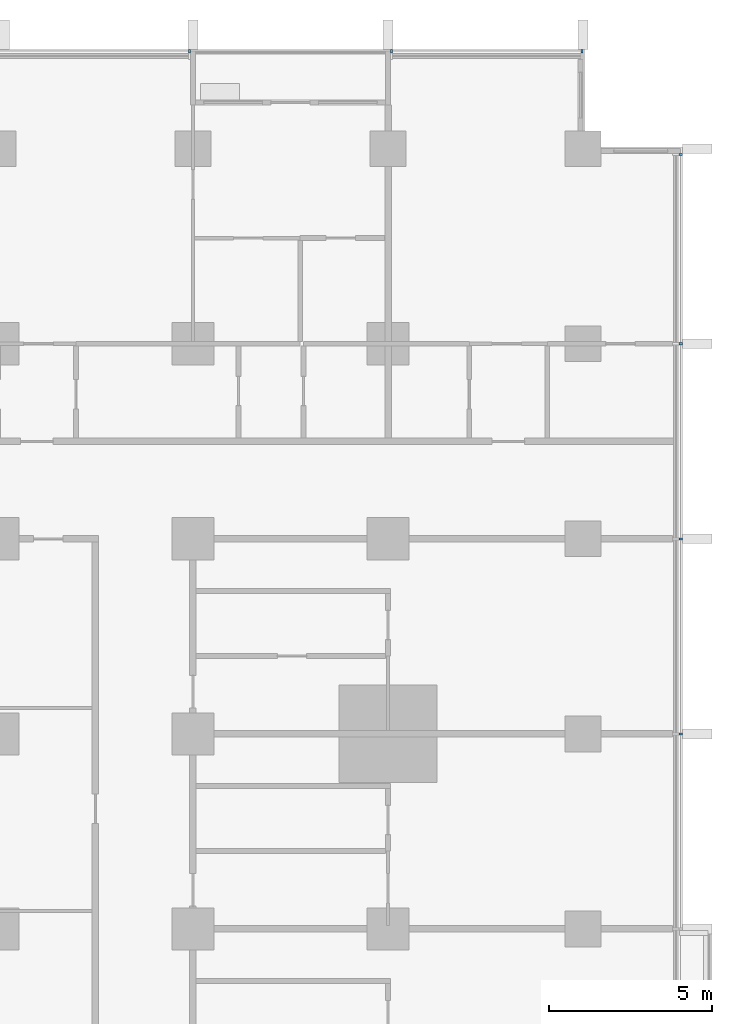
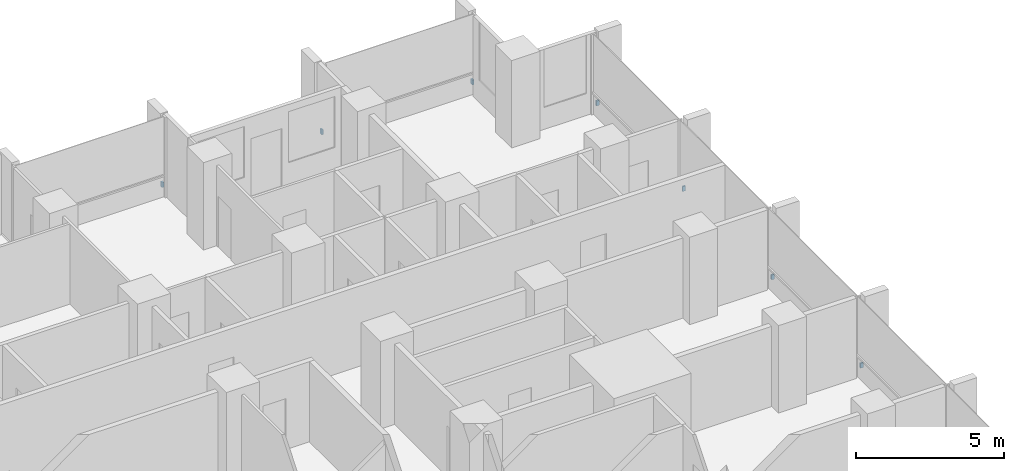
# One storey, part 17 of 18: 7 discrete accessories.
"""IFC4 building model written with IfcOpenShell, lengths in metres."""

from ifc_helpers import new_model, si_unit, direction, frame, origin, origin_2d, place, context, subcontext, project, spatial, rectangle, extrude, material, type_object, element, save


model = new_model("IFC4")

# Units and contexts
model_context = context("Model", 3, precision=1e-05, world=origin(), true_north=direction((0.0, 1.0)))
body_context = subcontext(model_context, "Body", "Model", "MODEL_VIEW")
ifc_project = project(units=[si_unit("LENGTHUNIT", "METRE"), si_unit("AREAUNIT", "SQUARE_METRE"), si_unit("VOLUMEUNIT", "CUBIC_METRE"), si_unit("PLANEANGLEUNIT", "RADIAN"), si_unit("MASSUNIT", "GRAM", prefix="KILO")], contexts=[model_context])

# Site, building, storey
site_placement = place(None, origin())
site = spatial("IfcSite", under=ifc_project, at=site_placement, CompositionType="ELEMENT")
building_placement = place(site_placement, origin())
building = spatial("IfcBuilding", under=site, at=building_placement, Name="Finial Court Residences", CompositionType="ELEMENT")
storey_placement = place(building_placement, frame((0.0, 0.0, 46.89990234375)))
storey = spatial("IfcBuildingStorey", under=building, at=storey_placement, Name="L10", CompositionType="ELEMENT", Elevation=46.89990234375)

# Discrete accessories
ifc_material = material(Name="Stainless steel 316", Category="steel")
discrete_accessory_type = type_object("IfcDiscreteAccessoryType", Name="Fin bracket, stainless steel 65 x 110 x 200", PredefinedType="BRACKET", material=ifc_material)
for number, where, z_axis, x_axis, name in (
    (1, (10.392578125, 28.5048828125, 0.30029296875), (0.0, 0.0, 1.0), (1.0, 0.0, 0.0), "E-L10-FIN-N6-BRK"),
    (2, (16.607421875, 28.5048828125, 0.30029296875), (0.0, 0.0, 1.0), (1.0, 0.0, 0.0), "E-L10-FIN-N7-BRK"),
    (3, (22.467529296875, 28.5048828125, 0.30029296875), (0.0, 0.0, 1.0), (1.0, 0.0, 0.0), "E-L10-FIN-N8-BRK"),
):
    element("IfcDiscreteAccessory", number, at=place(storey_placement, frame(where, z_axis=z_axis, x_axis=x_axis)), inside=storey, type_object=discrete_accessory_type, Name=name, PredefinedType="BRACKET", context=body_context, shape_type="SweptSolid", body=[
        extrude(rectangle(XDim=0.06494140625, YDim=0.110107421875, at=origin_2d()), origin(), (0.0, 0.0, 1.0), 0.199951171875),
    ])
for number, where, z_axis, x_axis, name in (
    (4, (25.5048828125, 7.5, 0.30029296875), (0.0, 0.0, 1.0), (1.0, 0.0, 0.0), "E-L10-FIN-E13-BRK"),
    (5, (25.5048828125, 13.5, 0.30029296875), (0.0, 0.0, 1.0), (1.0, 0.0, 0.0), "E-L10-FIN-E14-BRK"),
    (6, (25.5048828125, 19.5, 0.30029296875), (0.0, 0.0, 1.0), (1.0, 0.0, 0.0), "E-L10-FIN-E15-BRK"),
    (7, (25.5048828125, 25.3173828125, 0.30029296875), (0.0, 0.0, 1.0), (1.0, 0.0, 0.0), "E-L10-FIN-E16-BRK"),
):
    element("IfcDiscreteAccessory", number, at=place(storey_placement, frame(where, z_axis=z_axis, x_axis=x_axis)), inside=storey, type_object=discrete_accessory_type, Name=name, PredefinedType="BRACKET", context=body_context, shape_type="SweptSolid", body=[
        extrude(rectangle(XDim=0.110107421875, YDim=0.06494140625, at=origin_2d()), origin(), (0.0, 0.0, 1.0), 0.199951171875),
    ])

save(model, "model.ifc")
